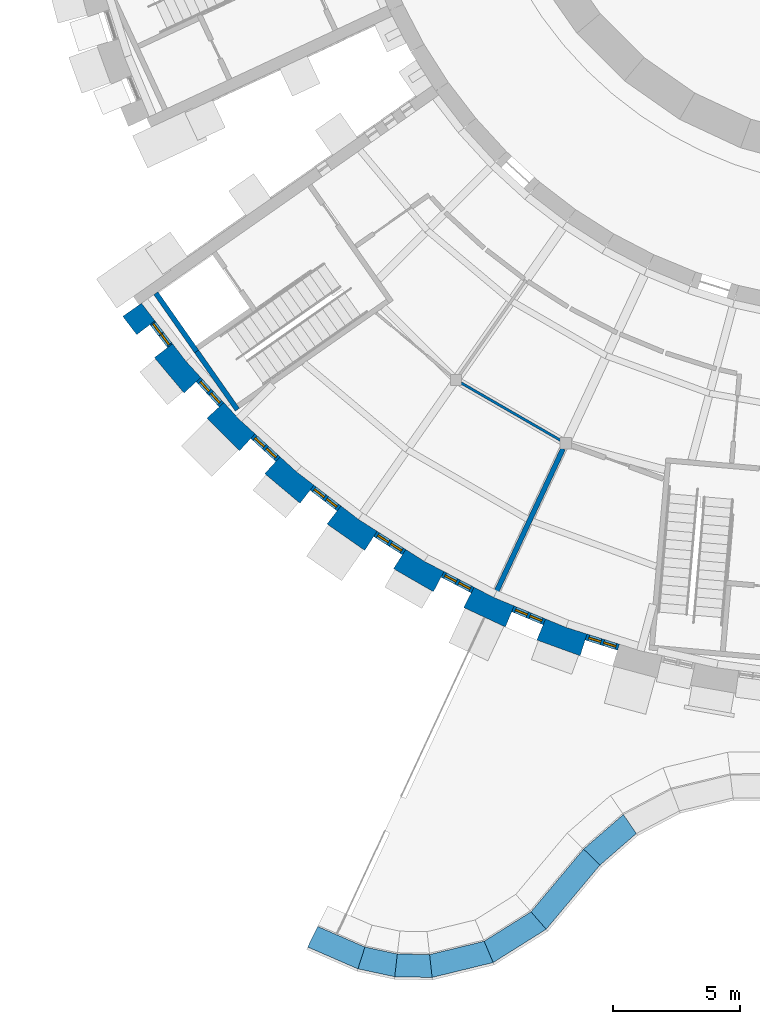
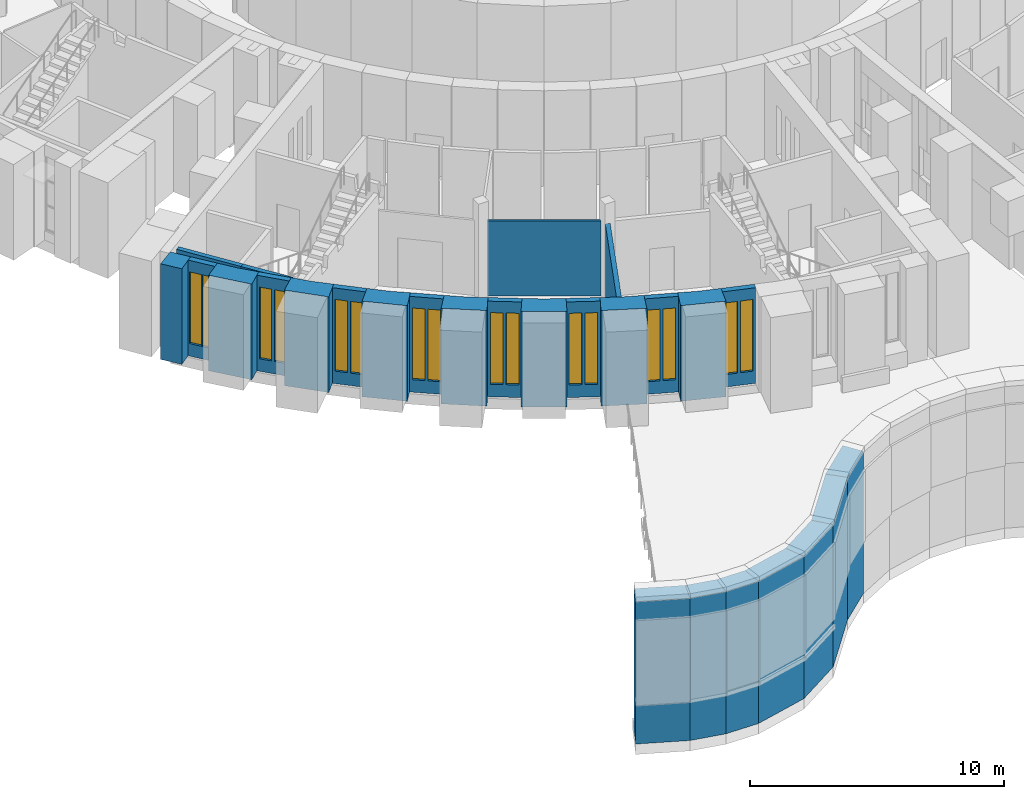
# One storey, part 45 of 85: 27 walls, 16 windows, 16 openings.
"""IFC4 building model written with IfcOpenShell, lengths in metres."""

from ifc_helpers import new_model, si_unit, direction, frame, frame_2d, origin, place, context, subcontext, project, spatial, polyline, rectangle, outline, extrude, material, layer, layer_set, type_object, element, fill, save


model = new_model("IFC4")

# Units and contexts
model_context = context("Model", 3, precision=1e-05, world=origin(), true_north=direction((0.0, 1.0)))
body_context = subcontext(model_context, "Body", "Model", "MODEL_VIEW")
ifc_project = project(units=[si_unit("LENGTHUNIT", "METRE"), si_unit("AREAUNIT", "SQUARE_METRE"), si_unit("VOLUMEUNIT", "CUBIC_METRE"), si_unit("PLANEANGLEUNIT", "RADIAN"), si_unit("MASSUNIT", "GRAM", prefix="KILO")], contexts=[model_context])

# Site, building, storey
site_placement = place(None, origin())
site = spatial("IfcSite", under=ifc_project, at=site_placement, CompositionType="ELEMENT")
building_placement = place(site_placement, origin())
building = spatial("IfcBuilding", under=site, at=building_placement, Name="Volute Hill Aquarium", CompositionType="ELEMENT")
storey_placement = place(building_placement, origin())
storey = spatial("IfcBuildingStorey", under=building, at=storey_placement, Name="L01", CompositionType="ELEMENT", Elevation=0.0)

# Walls
ifc_material_1 = material(Name="Concrete C30/37", Category="concrete")
ifc_layer_1 = layer(ifc_material_1, 0.199951171875)
ifc_layer_set_1 = layer_set([ifc_layer_1], Name="Core wall 200 REI 60")
wall_type_1 = type_object("IfcWallType", Name="Core wall 200 REI 60", PredefinedType="SHEAR", material=ifc_layer_set_1)
wall_1_placement = place(storey_placement, frame((-26.621826171875, -22.30322265625, 0.0), z_axis=(0.0, 0.0, 1.0), x_axis=(0.573591086599, -0.819141785879, 0.0)))
element("IfcWall", 1, at=wall_1_placement, inside=storey, type_object=wall_type_1, Name="wc/S2-A/L01/out-b", PredefinedType="SHEAR", context=body_context, shape_type="SweptSolid", body=[
    extrude(outline(polyline([(0.0, 0.0), (2.7998046875, 0.0), (2.800048828125, 4.35009765625), (2.7646484375, 4.35009765625), (2.714599609375, 3.840087890625), (2.214599609375, 3.840087890625), (2.164794921875, 4.35009765625), (0.0, 4.35009765625), (0.0, 0.0)])), frame((0.0, 0.10009765625, 0.0), z_axis=(0.0, -1.0, 0.0), x_axis=(1.0, 0.0, 0.0)), (0.0, 0.0, 1.0), 0.199951171875),
])
ifc_material_2 = material(Name="Masonry blockwork", Category="masonry")
ifc_layer_2 = layer(ifc_material_2, 0.199951171875)
ifc_layer_set_2 = layer_set([ifc_layer_2], Name="Fire partition 200 EI 60")
wall_type_2 = type_object("IfcWallType", Name="Fire partition 200 EI 60", PredefinedType="PARTITIONING", material=ifc_layer_set_2)
wall_2_placement = place(storey_placement, frame((-12.188232421875, -26.1376953125, 0.0), z_axis=(0.0, 0.0, 1.0), x_axis=(-0.422611085611, -0.906311133286, 0.0)))
element("IfcWall", 2, at=wall_2_placement, inside=storey, type_object=wall_type_2, Name="pw/S2/L01/001", PredefinedType="PARTITIONING", context=body_context, shape_type="SweptSolid", body=[
    extrude(rectangle(XDim=6.430419921875, YDim=0.199951171875, at=frame_2d((3.21533203125, 0.0))), origin(), (0.0, 0.0, 1.0), 3.6201171875),
])
ifc_material_3 = material(Name="Gypsum board on steel studs", Category="steel")
ifc_layer_3 = layer(ifc_material_3, 0.10009765625)
ifc_layer_set_3 = layer_set([ifc_layer_3], Name="Light partition 100")
wall_type_3 = type_object("IfcWallType", Name="Light partition 100", PredefinedType="PARTITIONING", material=ifc_layer_set_3)
wall_3_placement = place(storey_placement, frame((-12.29443359375, -25.800537109375, 0.0), z_axis=(0.0, 0.0, 1.0), x_axis=(-0.86603400694, 0.499985098601, 0.0)))
element("IfcWall", 3, at=wall_3_placement, inside=storey, type_object=wall_type_3, Name="pw/S2/L01/003", PredefinedType="PARTITIONING", context=body_context, shape_type="SweptSolid", body=[
    extrude(rectangle(XDim=4.506103515625, YDim=0.10009765625, at=frame_2d((2.2529296875, 0.0))), origin(), (0.0, 0.0, 1.0), 3.6201171875),
])

# Wall, openings, windows
ifc_material_4 = material(Name="Concrete C30/37", Category="concrete")
ifc_layer_4 = layer(ifc_material_4, 0.25)
ifc_layer_set_4 = layer_set([ifc_layer_4], Name="Niche back wall full height 250")
wall_type_4 = type_object("IfcWallType", Name="Niche back wall full height 250", PredefinedType="NOTDEFINED", material=ifc_layer_set_4)
wall_4_placement = place(storey_placement, frame((-27.66943359375, -22.07666015625, 0.0), z_axis=(0.0, 0.0, 1.0), x_axis=(-0.608831313341, 0.793299711267, 0.0)))
wall_4 = element("IfcWall", 4, at=wall_4_placement, inside=storey, type_object=wall_type_4, Name="Niche back wall OWN S2 L01 1", PredefinedType="NOTDEFINED", context=body_context, shape_type="SweptSolid", body=[
    extrude(rectangle(XDim=1.140869140625, YDim=0.25, at=frame_2d((0.5703125, 0.0))), origin(), (0.0, 0.0, 1.0), 4.60009765625),
])
opening_1_placement = place(wall_4_placement, frame((0.582763671875, 0.0, 0.60009765625)))
opening_1 = element("IfcOpeningElement", 5, at=opening_1_placement, cuts=wall_4, Name="Opening W3", PredefinedType="OPENING", context=body_context, shape_type="SweptSolid", body=[
    extrude(rectangle(XDim=0.5, YDim=3.449951171875, at=frame_2d((0.25, 1.72509765625))), frame((0.0, 0.135009765625, 0.0), z_axis=(0.0, -1.0, 0.0), x_axis=(1.0, 0.0, 0.0)), (0.0, 0.0, 1.0), 0.27001953125),
])
opening_2_placement = place(wall_4_placement, frame((0.05810546875, 0.0, 0.60009765625)))
opening_2 = element("IfcOpeningElement", 6, at=opening_2_placement, cuts=wall_4, Name="Opening W3", PredefinedType="OPENING", context=body_context, shape_type="SweptSolid", body=[
    extrude(rectangle(XDim=0.5, YDim=3.449951171875, at=frame_2d((0.25, 1.72509765625))), frame((0.0, 0.135009765625, 0.0), z_axis=(0.0, -1.0, 0.0), x_axis=(1.0, 0.0, 0.0)), (0.0, 0.0, 1.0), 0.27001953125),
])
ifc_material_5 = material(Name="Aluminium and glass", Category="aluminium")
window_type = type_object("IfcWindowType", Name="Slit window 500x3450", PartitioningType="SINGLE_PANEL", PredefinedType="WINDOW", material=ifc_material_5)
window_1_placement = place(opening_1_placement, origin())
window_1 = element("IfcWindow", 7, at=window_1_placement, inside=storey, type_object=window_type, Name="Slit window S2 L01 1.1.1", OverallHeight=3.449951171875, OverallWidth=0.5, PartitioningType="SINGLE_PANEL", PredefinedType="WINDOW", context=body_context, shape_type="SweptSolid", body=[
    extrude(rectangle(XDim=0.5, YDim=3.449951171875, at=frame_2d((0.25, 1.72509765625))), frame((0.0, 0.030029296875, 0.0), z_axis=(0.0, -1.0, 0.0), x_axis=(1.0, 0.0, 0.0)), (0.0, 0.0, 1.0), 0.06005859375),
])
fill(opening_1, window_1)
window_2_placement = place(opening_2_placement, origin())
window_2 = element("IfcWindow", 8, at=window_2_placement, inside=storey, type_object=window_type, Name="Slit window S2 L01 1.1.2", OverallHeight=3.449951171875, OverallWidth=0.5, PartitioningType="SINGLE_PANEL", PredefinedType="WINDOW", context=body_context, shape_type="SweptSolid", body=[
    extrude(rectangle(XDim=0.5, YDim=3.449951171875, at=frame_2d((0.25, 1.72509765625))), frame((0.0, 0.030029296875, 0.0), z_axis=(0.0, -1.0, 0.0), x_axis=(1.0, 0.0, 0.0)), (0.0, 0.0, 1.0), 0.06005859375),
])
fill(opening_2, window_2)

wall_5_placement = place(storey_placement, frame((-25.639892578125, -24.404296875, 0.0), z_axis=(0.0, 0.0, 1.0), x_axis=(-0.675576229389, 0.737290145251, 0.0)))
wall_5 = element("IfcWall", 9, at=wall_5_placement, inside=storey, type_object=wall_type_4, Name="Niche back wall OWN S2 L01 2", PredefinedType="NOTDEFINED", context=body_context, shape_type="SweptSolid", body=[
    extrude(rectangle(XDim=1.341064453125, YDim=0.25, at=frame_2d((0.67041015625, 0.0))), origin(), (0.0, 0.0, 1.0), 4.60009765625),
])
opening_3_placement = place(wall_5_placement, frame((0.72900390625, 0.0, 0.60009765625)))
opening_3 = element("IfcOpeningElement", 10, at=opening_3_placement, cuts=wall_5, Name="Opening W3", PredefinedType="OPENING", context=body_context, shape_type="SweptSolid", body=[
    extrude(rectangle(XDim=0.5, YDim=3.449951171875, at=frame_2d((0.25, 1.72509765625))), frame((0.0, 0.135009765625, 0.0), z_axis=(0.0, -1.0, 0.0), x_axis=(1.0, 0.0, 0.0)), (0.0, 0.0, 1.0), 0.27001953125),
])
opening_4_placement = place(wall_5_placement, frame((0.112060546875, 0.0, 0.60009765625)))
opening_4 = element("IfcOpeningElement", 11, at=opening_4_placement, cuts=wall_5, Name="Opening W3", PredefinedType="OPENING", context=body_context, shape_type="SweptSolid", body=[
    extrude(rectangle(XDim=0.5, YDim=3.449951171875, at=frame_2d((0.25, 1.72509765625))), frame((0.0, 0.135009765625, 0.0), z_axis=(0.0, -1.0, 0.0), x_axis=(1.0, 0.0, 0.0)), (0.0, 0.0, 1.0), 0.27001953125),
])
window_3_placement = place(opening_3_placement, origin())
window_3 = element("IfcWindow", 12, at=window_3_placement, inside=storey, type_object=window_type, Name="Slit window S2 L01 2.1.1", OverallHeight=3.449951171875, OverallWidth=0.5, PartitioningType="SINGLE_PANEL", PredefinedType="WINDOW", context=body_context, shape_type="SweptSolid", body=[
    extrude(rectangle(XDim=0.5, YDim=3.449951171875, at=frame_2d((0.25, 1.72509765625))), frame((0.0, 0.030029296875, 0.0), z_axis=(0.0, -1.0, 0.0), x_axis=(1.0, 0.0, 0.0)), (0.0, 0.0, 1.0), 0.06005859375),
])
fill(opening_3, window_3)
window_4_placement = place(opening_4_placement, origin())
window_4 = element("IfcWindow", 13, at=window_4_placement, inside=storey, type_object=window_type, Name="Slit window S2 L01 2.1.2", OverallHeight=3.449951171875, OverallWidth=0.5, PartitioningType="SINGLE_PANEL", PredefinedType="WINDOW", context=body_context, shape_type="SweptSolid", body=[
    extrude(rectangle(XDim=0.5, YDim=3.449951171875, at=frame_2d((0.25, 1.72509765625))), frame((0.0, 0.030029296875, 0.0), z_axis=(0.0, -1.0, 0.0), x_axis=(1.0, 0.0, 0.0)), (0.0, 0.0, 1.0), 0.06005859375),
])
fill(opening_4, window_4)

wall_6_placement = place(storey_placement, frame((-23.41552734375, -26.5458984375, 0.0), z_axis=(0.0, 0.0, 1.0), x_axis=(-0.737290145251, 0.675576229389, 0.0)))
wall_6 = element("IfcWall", 14, at=wall_6_placement, inside=storey, type_object=wall_type_4, Name="Niche back wall OWN S2 L01 3", PredefinedType="NOTDEFINED", context=body_context, shape_type="SweptSolid", body=[
    extrude(rectangle(XDim=1.341064453125, YDim=0.25, at=frame_2d((0.67041015625, 0.0))), origin(), (0.0, 0.0, 1.0), 4.60009765625),
])
opening_5_placement = place(wall_6_placement, frame((0.72900390625, 0.0, 0.60009765625)))
opening_5 = element("IfcOpeningElement", 15, at=opening_5_placement, cuts=wall_6, Name="Opening W3", PredefinedType="OPENING", context=body_context, shape_type="SweptSolid", body=[
    extrude(rectangle(XDim=0.5, YDim=3.449951171875, at=frame_2d((0.25, 1.72509765625))), frame((0.0, 0.135009765625, 0.0), z_axis=(0.0, -1.0, 0.0), x_axis=(1.0, 0.0, 0.0)), (0.0, 0.0, 1.0), 0.27001953125),
])
opening_6_placement = place(wall_6_placement, frame((0.112060546875, 0.0, 0.60009765625)))
opening_6 = element("IfcOpeningElement", 16, at=opening_6_placement, cuts=wall_6, Name="Opening W3", PredefinedType="OPENING", context=body_context, shape_type="SweptSolid", body=[
    extrude(rectangle(XDim=0.5, YDim=3.449951171875, at=frame_2d((0.25, 1.72509765625))), frame((0.0, 0.135009765625, 0.0), z_axis=(0.0, -1.0, 0.0), x_axis=(1.0, 0.0, 0.0)), (0.0, 0.0, 1.0), 0.27001953125),
])
window_5_placement = place(opening_5_placement, origin())
window_5 = element("IfcWindow", 17, at=window_5_placement, inside=storey, type_object=window_type, Name="Slit window S2 L01 3.1.1", OverallHeight=3.449951171875, OverallWidth=0.5, PartitioningType="SINGLE_PANEL", PredefinedType="WINDOW", context=body_context, shape_type="SweptSolid", body=[
    extrude(rectangle(XDim=0.5, YDim=3.449951171875, at=frame_2d((0.25, 1.72509765625))), frame((0.0, 0.030029296875, 0.0), z_axis=(0.0, -1.0, 0.0), x_axis=(1.0, 0.0, 0.0)), (0.0, 0.0, 1.0), 0.06005859375),
])
fill(opening_5, window_5)
window_6_placement = place(opening_6_placement, origin())
window_6 = element("IfcWindow", 18, at=window_6_placement, inside=storey, type_object=window_type, Name="Slit window S2 L01 3.1.2", OverallHeight=3.449951171875, OverallWidth=0.5, PartitioningType="SINGLE_PANEL", PredefinedType="WINDOW", context=body_context, shape_type="SweptSolid", body=[
    extrude(rectangle(XDim=0.5, YDim=3.449951171875, at=frame_2d((0.25, 1.72509765625))), frame((0.0, 0.030029296875, 0.0), z_axis=(0.0, -1.0, 0.0), x_axis=(1.0, 0.0, 0.0)), (0.0, 0.0, 1.0), 0.06005859375),
])
fill(opening_6, window_6)

wall_7_placement = place(storey_placement, frame((-21.0126953125, -28.48583984375, 0.0), z_axis=(0.0, 0.0, 1.0), x_axis=(-0.793354308621, 0.608760167055, 0.0)))
wall_7 = element("IfcWall", 19, at=wall_7_placement, inside=storey, type_object=wall_type_4, Name="Niche back wall OWN S2 L01 4", PredefinedType="NOTDEFINED", context=body_context, shape_type="SweptSolid", body=[
    extrude(rectangle(XDim=1.341064453125, YDim=0.25, at=frame_2d((0.67041015625, 0.0))), origin(), (0.0, 0.0, 1.0), 4.60009765625),
])
opening_7_placement = place(wall_7_placement, frame((0.72900390625, 0.0, 0.60009765625)))
opening_7 = element("IfcOpeningElement", 20, at=opening_7_placement, cuts=wall_7, Name="Opening W3", PredefinedType="OPENING", context=body_context, shape_type="SweptSolid", body=[
    extrude(rectangle(XDim=0.5, YDim=3.449951171875, at=frame_2d((0.25, 1.72509765625))), frame((0.0, 0.135009765625, 0.0), z_axis=(0.0, -1.0, 0.0), x_axis=(1.0, 0.0, 0.0)), (0.0, 0.0, 1.0), 0.27001953125),
])
opening_8_placement = place(wall_7_placement, frame((0.112060546875, 0.0, 0.60009765625)))
opening_8 = element("IfcOpeningElement", 21, at=opening_8_placement, cuts=wall_7, Name="Opening W3", PredefinedType="OPENING", context=body_context, shape_type="SweptSolid", body=[
    extrude(rectangle(XDim=0.5, YDim=3.449951171875, at=frame_2d((0.25, 1.72509765625))), frame((0.0, 0.135009765625, 0.0), z_axis=(0.0, -1.0, 0.0), x_axis=(1.0, 0.0, 0.0)), (0.0, 0.0, 1.0), 0.27001953125),
])
window_7_placement = place(opening_7_placement, origin())
window_7 = element("IfcWindow", 22, at=window_7_placement, inside=storey, type_object=window_type, Name="Slit window S2 L01 4.1.1", OverallHeight=3.449951171875, OverallWidth=0.5, PartitioningType="SINGLE_PANEL", PredefinedType="WINDOW", context=body_context, shape_type="SweptSolid", body=[
    extrude(rectangle(XDim=0.5, YDim=3.449951171875, at=frame_2d((0.25, 1.72509765625))), frame((0.0, 0.030029296875, 0.0), z_axis=(0.0, -1.0, 0.0), x_axis=(1.0, 0.0, 0.0)), (0.0, 0.0, 1.0), 0.06005859375),
])
fill(opening_7, window_7)
window_8_placement = place(opening_8_placement, origin())
window_8 = element("IfcWindow", 23, at=window_8_placement, inside=storey, type_object=window_type, Name="Slit window S2 L01 4.1.2", OverallHeight=3.449951171875, OverallWidth=0.5, PartitioningType="SINGLE_PANEL", PredefinedType="WINDOW", context=body_context, shape_type="SweptSolid", body=[
    extrude(rectangle(XDim=0.5, YDim=3.449951171875, at=frame_2d((0.25, 1.72509765625))), frame((0.0, 0.030029296875, 0.0), z_axis=(0.0, -1.0, 0.0), x_axis=(1.0, 0.0, 0.0)), (0.0, 0.0, 1.0), 0.06005859375),
])
fill(opening_8, window_8)

wall_8_placement = place(storey_placement, frame((-18.449951171875, -30.208740234375, 0.0), z_axis=(0.0, 0.0, 1.0), x_axis=(-0.843436528723, 0.5372288358, 0.0)))
wall_8 = element("IfcWall", 24, at=wall_8_placement, inside=storey, type_object=wall_type_4, Name="Niche back wall OWN S2 L01 5", PredefinedType="NOTDEFINED", context=body_context, shape_type="SweptSolid", body=[
    extrude(rectangle(XDim=1.341064453125, YDim=0.25, at=frame_2d((0.67041015625, 0.0))), origin(), (0.0, 0.0, 1.0), 4.60009765625),
])
opening_9_placement = place(wall_8_placement, frame((0.72900390625, 0.0, 0.60009765625)))
opening_9 = element("IfcOpeningElement", 25, at=opening_9_placement, cuts=wall_8, Name="Opening W3", PredefinedType="OPENING", context=body_context, shape_type="SweptSolid", body=[
    extrude(rectangle(XDim=0.5, YDim=3.449951171875, at=frame_2d((0.25, 1.72509765625))), frame((0.0, 0.135009765625, 0.0), z_axis=(0.0, -1.0, 0.0), x_axis=(1.0, 0.0, 0.0)), (0.0, 0.0, 1.0), 0.27001953125),
])
opening_10_placement = place(wall_8_placement, frame((0.112060546875, 0.0, 0.60009765625)))
opening_10 = element("IfcOpeningElement", 26, at=opening_10_placement, cuts=wall_8, Name="Opening W3", PredefinedType="OPENING", context=body_context, shape_type="SweptSolid", body=[
    extrude(rectangle(XDim=0.5, YDim=3.449951171875, at=frame_2d((0.25, 1.72509765625))), frame((0.0, 0.135009765625, 0.0), z_axis=(0.0, -1.0, 0.0), x_axis=(1.0, 0.0, 0.0)), (0.0, 0.0, 1.0), 0.27001953125),
])
window_9_placement = place(opening_9_placement, origin())
window_9 = element("IfcWindow", 27, at=window_9_placement, inside=storey, type_object=window_type, Name="Slit window S2 L01 5.1.1", OverallHeight=3.449951171875, OverallWidth=0.5, PartitioningType="SINGLE_PANEL", PredefinedType="WINDOW", context=body_context, shape_type="SweptSolid", body=[
    extrude(rectangle(XDim=0.5, YDim=3.449951171875, at=frame_2d((0.25, 1.72509765625))), frame((0.0, 0.030029296875, 0.0), z_axis=(0.0, -1.0, 0.0), x_axis=(1.0, 0.0, 0.0)), (0.0, 0.0, 1.0), 0.06005859375),
])
fill(opening_9, window_9)
window_10_placement = place(opening_10_placement, origin())
window_10 = element("IfcWindow", 28, at=window_10_placement, inside=storey, type_object=window_type, Name="Slit window S2 L01 5.1.2", OverallHeight=3.449951171875, OverallWidth=0.5, PartitioningType="SINGLE_PANEL", PredefinedType="WINDOW", context=body_context, shape_type="SweptSolid", body=[
    extrude(rectangle(XDim=0.5, YDim=3.449951171875, at=frame_2d((0.25, 1.72509765625))), frame((0.0, 0.030029296875, 0.0), z_axis=(0.0, -1.0, 0.0), x_axis=(1.0, 0.0, 0.0)), (0.0, 0.0, 1.0), 0.06005859375),
])
fill(opening_10, window_10)

wall_9_placement = place(storey_placement, frame((-15.7470703125, -31.701904296875, 0.0), z_axis=(0.0, 0.0, 1.0), x_axis=(-0.886951374027, 0.461862815252, 0.0)))
wall_9 = element("IfcWall", 29, at=wall_9_placement, inside=storey, type_object=wall_type_4, Name="Niche back wall OWN S2 L01 6", PredefinedType="NOTDEFINED", context=body_context, shape_type="SweptSolid", body=[
    extrude(rectangle(XDim=1.341064453125, YDim=0.25, at=frame_2d((0.67041015625, 0.0))), origin(), (0.0, 0.0, 1.0), 4.60009765625),
])
opening_11_placement = place(wall_9_placement, frame((0.72900390625, 0.0, 0.60009765625)))
opening_11 = element("IfcOpeningElement", 30, at=opening_11_placement, cuts=wall_9, Name="Opening W3", PredefinedType="OPENING", context=body_context, shape_type="SweptSolid", body=[
    extrude(rectangle(XDim=0.5, YDim=3.449951171875, at=frame_2d((0.25, 1.72509765625))), frame((0.0, 0.135009765625, 0.0), z_axis=(0.0, -1.0, 0.0), x_axis=(1.0, 0.0, 0.0)), (0.0, 0.0, 1.0), 0.27001953125),
])
opening_12_placement = place(wall_9_placement, frame((0.112060546875, 0.0, 0.60009765625)))
opening_12 = element("IfcOpeningElement", 31, at=opening_12_placement, cuts=wall_9, Name="Opening W3", PredefinedType="OPENING", context=body_context, shape_type="SweptSolid", body=[
    extrude(rectangle(XDim=0.5, YDim=3.449951171875, at=frame_2d((0.25, 1.72509765625))), frame((0.0, 0.135009765625, 0.0), z_axis=(0.0, -1.0, 0.0), x_axis=(1.0, 0.0, 0.0)), (0.0, 0.0, 1.0), 0.27001953125),
])
window_11_placement = place(opening_11_placement, origin())
window_11 = element("IfcWindow", 32, at=window_11_placement, inside=storey, type_object=window_type, Name="Slit window S2 L01 6.1.1", OverallHeight=3.449951171875, OverallWidth=0.5, PartitioningType="SINGLE_PANEL", PredefinedType="WINDOW", context=body_context, shape_type="SweptSolid", body=[
    extrude(rectangle(XDim=0.5, YDim=3.449951171875, at=frame_2d((0.25, 1.72509765625))), frame((0.0, 0.030029296875, 0.0), z_axis=(0.0, -1.0, 0.0), x_axis=(1.0, 0.0, 0.0)), (0.0, 0.0, 1.0), 0.06005859375),
])
fill(opening_11, window_11)
window_12_placement = place(opening_12_placement, origin())
window_12 = element("IfcWindow", 33, at=window_12_placement, inside=storey, type_object=window_type, Name="Slit window S2 L01 6.1.2", OverallHeight=3.449951171875, OverallWidth=0.5, PartitioningType="SINGLE_PANEL", PredefinedType="WINDOW", context=body_context, shape_type="SweptSolid", body=[
    extrude(rectangle(XDim=0.5, YDim=3.449951171875, at=frame_2d((0.25, 1.72509765625))), frame((0.0, 0.030029296875, 0.0), z_axis=(0.0, -1.0, 0.0), x_axis=(1.0, 0.0, 0.0)), (0.0, 0.0, 1.0), 0.06005859375),
])
fill(opening_12, window_12)

wall_10_placement = place(storey_placement, frame((-12.924072265625, -32.95361328125, 0.0), z_axis=(0.0, 0.0, 1.0), x_axis=(-0.923888145957, 0.382662637005, 0.0)))
wall_10 = element("IfcWall", 34, at=wall_10_placement, inside=storey, type_object=wall_type_4, Name="Niche back wall OWN S2 L01 7", PredefinedType="NOTDEFINED", context=body_context, shape_type="SweptSolid", body=[
    extrude(rectangle(XDim=1.341064453125, YDim=0.25, at=frame_2d((0.67041015625, 0.0))), origin(), (0.0, 0.0, 1.0), 4.60009765625),
])
opening_13_placement = place(wall_10_placement, frame((0.72900390625, 0.0, 0.60009765625)))
opening_13 = element("IfcOpeningElement", 35, at=opening_13_placement, cuts=wall_10, Name="Opening W3", PredefinedType="OPENING", context=body_context, shape_type="SweptSolid", body=[
    extrude(rectangle(XDim=0.5, YDim=3.449951171875, at=frame_2d((0.25, 1.72509765625))), frame((0.0, 0.135009765625, 0.0), z_axis=(0.0, -1.0, 0.0), x_axis=(1.0, 0.0, 0.0)), (0.0, 0.0, 1.0), 0.27001953125),
])
opening_14_placement = place(wall_10_placement, frame((0.112060546875, 0.0, 0.60009765625)))
opening_14 = element("IfcOpeningElement", 36, at=opening_14_placement, cuts=wall_10, Name="Opening W3", PredefinedType="OPENING", context=body_context, shape_type="SweptSolid", body=[
    extrude(rectangle(XDim=0.5, YDim=3.449951171875, at=frame_2d((0.25, 1.72509765625))), frame((0.0, 0.135009765625, 0.0), z_axis=(0.0, -1.0, 0.0), x_axis=(1.0, 0.0, 0.0)), (0.0, 0.0, 1.0), 0.27001953125),
])
window_13_placement = place(opening_13_placement, origin())
window_13 = element("IfcWindow", 37, at=window_13_placement, inside=storey, type_object=window_type, Name="Slit window S2 L01 7.1.1", OverallHeight=3.449951171875, OverallWidth=0.5, PartitioningType="SINGLE_PANEL", PredefinedType="WINDOW", context=body_context, shape_type="SweptSolid", body=[
    extrude(rectangle(XDim=0.5, YDim=3.449951171875, at=frame_2d((0.25, 1.72509765625))), frame((0.0, 0.030029296875, 0.0), z_axis=(0.0, -1.0, 0.0), x_axis=(1.0, 0.0, 0.0)), (0.0, 0.0, 1.0), 0.06005859375),
])
fill(opening_13, window_13)
window_14_placement = place(opening_14_placement, origin())
window_14 = element("IfcWindow", 38, at=window_14_placement, inside=storey, type_object=window_type, Name="Slit window S2 L01 7.1.2", OverallHeight=3.449951171875, OverallWidth=0.5, PartitioningType="SINGLE_PANEL", PredefinedType="WINDOW", context=body_context, shape_type="SweptSolid", body=[
    extrude(rectangle(XDim=0.5, YDim=3.449951171875, at=frame_2d((0.25, 1.72509765625))), frame((0.0, 0.030029296875, 0.0), z_axis=(0.0, -1.0, 0.0), x_axis=(1.0, 0.0, 0.0)), (0.0, 0.0, 1.0), 0.06005859375),
])
fill(opening_14, window_14)

wall_11_placement = place(storey_placement, frame((-10.002685546875, -33.95458984375, 0.0), z_axis=(0.0, 0.0, 1.0), x_axis=(-0.953709137905, 0.300730577556, 0.0)))
wall_11 = element("IfcWall", 39, at=wall_11_placement, inside=storey, type_object=wall_type_4, Name="Niche back wall OWN S2 L01 8", PredefinedType="NOTDEFINED", context=body_context, shape_type="SweptSolid", body=[
    extrude(rectangle(XDim=1.341064453125, YDim=0.25, at=frame_2d((0.67041015625, 0.0))), origin(), (0.0, 0.0, 1.0), 4.60009765625),
])
opening_15_placement = place(wall_11_placement, frame((0.72900390625, 0.0, 0.60009765625)))
opening_15 = element("IfcOpeningElement", 40, at=opening_15_placement, cuts=wall_11, Name="Opening W3", PredefinedType="OPENING", context=body_context, shape_type="SweptSolid", body=[
    extrude(rectangle(XDim=0.5, YDim=3.449951171875, at=frame_2d((0.25, 1.72509765625))), frame((0.0, 0.135009765625, 0.0), z_axis=(0.0, -1.0, 0.0), x_axis=(1.0, 0.0, 0.0)), (0.0, 0.0, 1.0), 0.27001953125),
])
opening_16_placement = place(wall_11_placement, frame((0.112060546875, 0.0, 0.60009765625)))
opening_16 = element("IfcOpeningElement", 41, at=opening_16_placement, cuts=wall_11, Name="Opening W3", PredefinedType="OPENING", context=body_context, shape_type="SweptSolid", body=[
    extrude(rectangle(XDim=0.5, YDim=3.449951171875, at=frame_2d((0.25, 1.72509765625))), frame((0.0, 0.135009765625, 0.0), z_axis=(0.0, -1.0, 0.0), x_axis=(1.0, 0.0, 0.0)), (0.0, 0.0, 1.0), 0.27001953125),
])
window_15_placement = place(opening_15_placement, origin())
window_15 = element("IfcWindow", 42, at=window_15_placement, inside=storey, type_object=window_type, Name="Slit window S2 L01 8.1.1", OverallHeight=3.449951171875, OverallWidth=0.5, PartitioningType="SINGLE_PANEL", PredefinedType="WINDOW", context=body_context, shape_type="SweptSolid", body=[
    extrude(rectangle(XDim=0.5, YDim=3.449951171875, at=frame_2d((0.25, 1.72509765625))), frame((0.0, 0.030029296875, 0.0), z_axis=(0.0, -1.0, 0.0), x_axis=(1.0, 0.0, 0.0)), (0.0, 0.0, 1.0), 0.06005859375),
])
fill(opening_15, window_15)
window_16_placement = place(opening_16_placement, origin())
window_16 = element("IfcWindow", 43, at=window_16_placement, inside=storey, type_object=window_type, Name="Slit window S2 L01 8.1.2", OverallHeight=3.449951171875, OverallWidth=0.5, PartitioningType="SINGLE_PANEL", PredefinedType="WINDOW", context=body_context, shape_type="SweptSolid", body=[
    extrude(rectangle(XDim=0.5, YDim=3.449951171875, at=frame_2d((0.25, 1.72509765625))), frame((0.0, 0.030029296875, 0.0), z_axis=(0.0, -1.0, 0.0), x_axis=(1.0, 0.0, 0.0)), (0.0, 0.0, 1.0), 0.06005859375),
])
fill(opening_16, window_16)

# Walls
ifc_material_6 = material(Name="Precast concrete C40/50", Category="concrete")
ifc_layer_5 = layer(ifc_material_6, 0.89990234375)
ifc_layer_set_5 = layer_set([ifc_layer_5], Name="Outer pier precast concrete C40/50 900")
wall_type_5 = type_object("IfcWallType", Name="Outer pier precast concrete C40/50 900", PredefinedType="NOTDEFINED", material=ifc_layer_set_5)
wall_12_placement = place(storey_placement, origin())
element("IfcWall", 44, at=wall_12_placement, inside=storey, type_object=wall_type_5, Name="Outer pier OWP S2 L01 1", PredefinedType="NOTDEFINED", context=body_context, shape_type="SweptSolid", body=[
    extrude(outline(polyline([(-28.7939453125, -20.40576171875), (-29.53173828125, -20.922607421875), (-28.978759765625, -21.643310546875), (-28.2646484375, -21.095458984375), (-28.7939453125, -20.40576171875)])), origin(), (0.0, 0.0, 1.0), 4.60009765625),
])
wall_13_placement = place(storey_placement, origin())
element("IfcWall", 45, at=wall_13_placement, inside=storey, type_object=wall_type_5, Name="Outer pier OWP S2 L01 2", PredefinedType="NOTDEFINED", context=body_context, shape_type="SweptSolid", body=[
    extrude(outline(polyline([(-27.570068359375, -22.00048828125), (-28.2841796875, -22.548583984375), (-27.117431640625, -23.93896484375), (-26.453857421875, -23.3310546875), (-27.041015625, -22.690185546875), (-27.570068359375, -22.00048828125)])), origin(), (0.0, 0.0, 1.0), 4.60009765625),
])
wall_14_placement = place(storey_placement, origin())
element("IfcWall", 46, at=wall_14_placement, inside=storey, type_object=wall_type_5, Name="Outer pier OWP S2 L01 3", PredefinedType="NOTDEFINED", context=body_context, shape_type="SweptSolid", body=[
    extrude(outline(polyline([(-25.5478515625, -24.31982421875), (-26.21142578125, -24.927734375), (-24.927734375, -26.21142578125), (-24.31982421875, -25.5478515625), (-24.960693359375, -24.960693359375), (-25.5478515625, -24.31982421875)])), origin(), (0.0, 0.0, 1.0), 4.60009765625),
])
wall_15_placement = place(storey_placement, origin())
element("IfcWall", 47, at=wall_15_placement, inside=storey, type_object=wall_type_5, Name="Outer pier OWP S2 L01 4", PredefinedType="NOTDEFINED", context=body_context, shape_type="SweptSolid", body=[
    extrude(outline(polyline([(-23.3310546875, -26.453857421875), (-23.93896484375, -27.117431640625), (-22.548583984375, -28.2841796875), (-22.00048828125, -27.570068359375), (-22.690185546875, -27.041015625), (-23.3310546875, -26.453857421875)])), origin(), (0.0, 0.0, 1.0), 4.60009765625),
])
wall_16_placement = place(storey_placement, origin())
element("IfcWall", 48, at=wall_16_placement, inside=storey, type_object=wall_type_5, Name="Outer pier OWP S2 L01 5", PredefinedType="NOTDEFINED", context=body_context, shape_type="SweptSolid", body=[
    extrude(outline(polyline([(-20.9365234375, -28.386474609375), (-21.484619140625, -29.1005859375), (-19.99755859375, -30.141845703125), (-19.513916015625, -29.3828125), (-20.2470703125, -28.915771484375), (-20.9365234375, -28.386474609375)])), origin(), (0.0, 0.0, 1.0), 4.60009765625),
])
wall_17_placement = place(storey_placement, origin())
element("IfcWall", 49, at=wall_17_placement, inside=storey, type_object=wall_type_5, Name="Outer pier OWP S2 L01 6", PredefinedType="NOTDEFINED", context=body_context, shape_type="SweptSolid", body=[
    extrude(outline(polyline([(-18.3828125, -30.103271484375), (-18.866455078125, -30.8623046875), (-17.29443359375, -31.77001953125), (-16.87890625, -30.9716796875), (-17.64990234375, -30.5703125), (-18.3828125, -30.103271484375)])), origin(), (0.0, 0.0, 1.0), 4.60009765625),
])
wall_18_placement = place(storey_placement, origin())
element("IfcWall", 50, at=wall_18_placement, inside=storey, type_object=wall_type_5, Name="Outer pier OWP S2 L01 7", PredefinedType="NOTDEFINED", context=body_context, shape_type="SweptSolid", body=[
    extrude(outline(polyline([(-15.689208984375, -31.5908203125), (-16.104736328125, -32.38916015625), (-14.459716796875, -33.156494140625), (-14.115234375, -32.324951171875), (-14.918212890625, -31.9921875), (-15.689208984375, -31.5908203125)])), origin(), (0.0, 0.0, 1.0), 4.60009765625),
])
wall_19_placement = place(storey_placement, origin())
element("IfcWall", 51, at=wall_19_placement, inside=storey, type_object=wall_type_5, Name="Outer pier OWP S2 L01 8", PredefinedType="NOTDEFINED", context=body_context, shape_type="SweptSolid", body=[
    extrude(outline(polyline([(-12.876220703125, -32.838134765625), (-13.220703125, -33.669677734375), (-11.514892578125, -34.29052734375), (-11.244140625, -33.43212890625), (-12.0732421875, -33.170654296875), (-12.876220703125, -32.838134765625)])), origin(), (0.0, 0.0, 1.0), 4.60009765625),
])
ifc_material_7 = material(Name="Concrete C30/37", Category="concrete")
ifc_layer_6 = layer(ifc_material_7, 0.199951171875)
ifc_layer_set_6 = layer_set([ifc_layer_6], Name="Shaft wall 200 EI 60")
wall_type_6 = type_object("IfcWallType", Name="Shaft wall 200 EI 60", PredefinedType="SOLIDWALL", material=ifc_layer_set_6)
wall_20_placement = place(storey_placement, frame((-28.227783203125, -20.009521484375, 0.0), z_axis=(0.0, 0.0, 1.0), x_axis=(0.573550118428, -0.819170471667, 0.0)))
element("IfcWall", 52, at=wall_20_placement, inside=storey, type_object=wall_type_6, Name="wc/S2-A/L01/out-a", PredefinedType="SOLIDWALL", context=body_context, shape_type="SweptSolid", body=[
    extrude(rectangle(XDim=2.800048828125, YDim=0.199951171875, at=frame_2d((1.39990234375, 0.0))), origin(), (0.0, 0.0, 1.0), 4.35009765625),
])
ifc_material_8 = material(Name="Concrete C30/37", Category="concrete")
ifc_layer_7 = layer(ifc_material_8, 0.89990234375)
ifc_layer_set_7 = layer_set([ifc_layer_7], Name="Site edge retaining wall C30/37 900")
wall_type_7 = type_object("IfcWallType", Name="Site edge retaining wall C30/37 900", PredefinedType="SOLIDWALL", material=ifc_layer_set_7)
wall_21_placement = place(storey_placement, frame((0.0, 0.0, -6.0)))
element("IfcWall", 53, at=wall_21_placement, inside=storey, type_object=wall_type_7, Name="rw/E13UP/L01/0", PredefinedType="SOLIDWALL", context=body_context, shape_type="SweptSolid", body=[
    extrude(outline(polyline([(-22.248291015625, -45.762939453125), (-20.268310546875, -46.622802734375), (-19.9921875, -45.76171875), (-21.854248046875, -44.952880859375), (-22.248291015625, -45.762939453125)])), origin(), (0.0, 0.0, 1.0), 6.85009765625),
])
wall_22_placement = place(storey_placement, frame((0.0, 0.0, -6.0)))
element("IfcWall", 54, at=wall_22_placement, inside=storey, type_object=wall_type_7, Name="rw/E14UP/L01/0", PredefinedType="SOLIDWALL", context=body_context, shape_type="SweptSolid", body=[
    extrude(outline(polyline([(-20.268310546875, -46.622802734375), (-18.818603515625, -46.93359375), (-18.715087890625, -46.035400390625), (-18.715087890625, -46.035400390625), (-19.9921875, -45.76171875), (-19.9921875, -45.76171875), (-20.268310546875, -46.622802734375), (-20.268310546875, -46.622802734375)])), origin(), (0.0, 0.0, 1.0), 6.85009765625),
])
wall_23_placement = place(storey_placement, frame((0.0, 0.0, -6.0)))
element("IfcWall", 55, at=wall_23_placement, inside=storey, type_object=wall_type_7, Name="rw/E15UP/L01/0", PredefinedType="SOLIDWALL", context=body_context, shape_type="SweptSolid", body=[
    extrude(outline(polyline([(-18.818603515625, -46.93359375), (-17.344970703125, -46.96044921875), (-17.445068359375, -46.058349609375), (-18.715087890625, -46.035400390625), (-18.818603515625, -46.93359375), (-18.818603515625, -46.93359375)])), origin(), (0.0, 0.0, 1.0), 6.85009765625),
])
wall_24_placement = place(storey_placement, frame((0.0, 0.0, -6.0)))
element("IfcWall", 56, at=wall_24_placement, inside=storey, type_object=wall_type_7, Name="rw/E16UP/L01/0", PredefinedType="SOLIDWALL", context=body_context, shape_type="SweptSolid", body=[
    extrude(outline(polyline([(-17.344970703125, -46.96044921875), (-14.9404296875, -46.3740234375), (-15.295654296875, -45.5341796875), (-17.445068359375, -46.058349609375), (-17.445068359375, -46.058349609375), (-17.344970703125, -46.96044921875), (-17.344970703125, -46.96044921875)])), origin(), (0.0, 0.0, 1.0), 6.85009765625),
])
wall_25_placement = place(storey_placement, frame((0.0, 0.0, -6.0)))
element("IfcWall", 57, at=wall_25_placement, inside=storey, type_object=wall_type_7, Name="rw/E17UP/L01/0", PredefinedType="SOLIDWALL", context=body_context, shape_type="SweptSolid", body=[
    extrude(outline(polyline([(-12.85205078125, -45.06201171875), (-12.85205078125, -45.06201171875), (-13.45068359375, -44.375244140625), (-13.45068359375, -44.375244140625), (-15.295654296875, -45.5341796875), (-14.9404296875, -46.3740234375), (-14.9404296875, -46.3740234375), (-12.85205078125, -45.06201171875)])), origin(), (0.0, 0.0, 1.0), 6.85009765625),
])
wall_26_placement = place(storey_placement, frame((0.0, 0.0, -6.0)))
element("IfcWall", 58, at=wall_26_placement, inside=storey, type_object=wall_type_7, Name="rw/E18UP/L01/0", PredefinedType="SOLIDWALL", context=body_context, shape_type="SweptSolid", body=[
    extrude(outline(polyline([(-10.736328125, -42.53759765625), (-10.736328125, -42.53759765625), (-11.38037109375, -41.905029296875), (-11.38037109375, -41.905029296875), (-13.45068359375, -44.375244140625), (-12.85205078125, -45.06201171875), (-10.736328125, -42.53759765625)])), origin(), (0.0, 0.0, 1.0), 6.85009765625),
])
wall_27_placement = place(storey_placement, frame((0.0, 0.0, -6.0)))
element("IfcWall", 59, at=wall_27_placement, inside=storey, type_object=wall_type_7, Name="rw/E19UP/L01/0", PredefinedType="SOLIDWALL", context=body_context, shape_type="SweptSolid", body=[
    extrude(outline(polyline([(-10.736328125, -42.53759765625), (-9.301025390625, -41.291015625), (-9.812255859375, -40.54296875), (-9.812255859375, -40.54296875), (-11.38037109375, -41.905029296875), (-10.736328125, -42.53759765625)])), origin(), (0.0, 0.0, 1.0), 6.85009765625),
])

save(model, "model.ifc")
